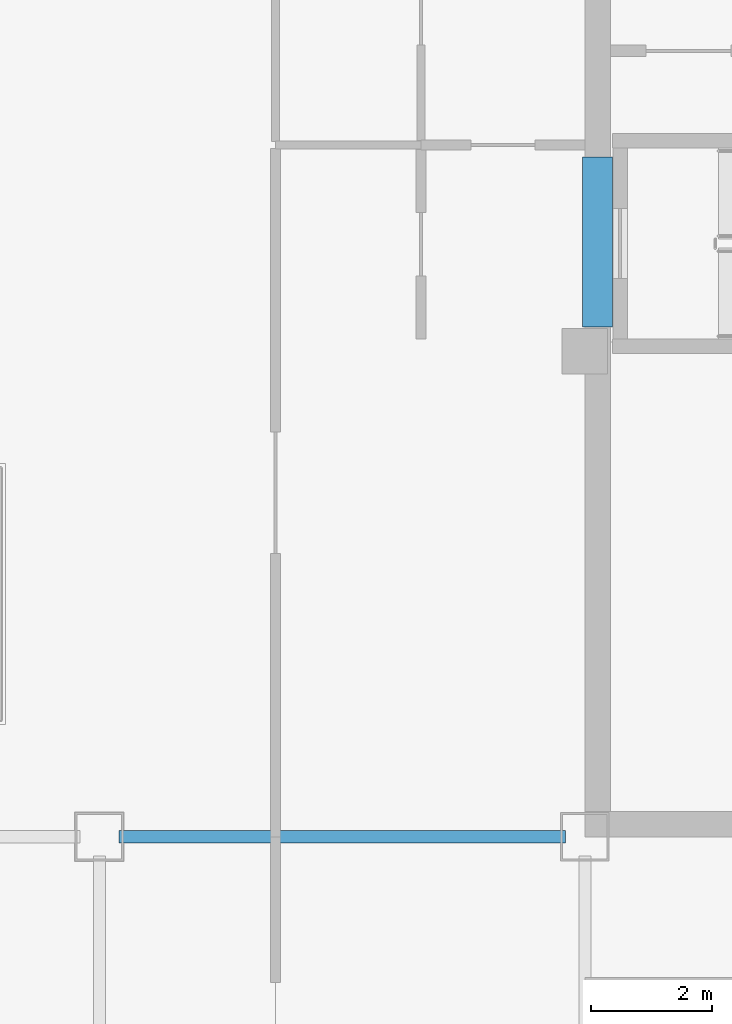
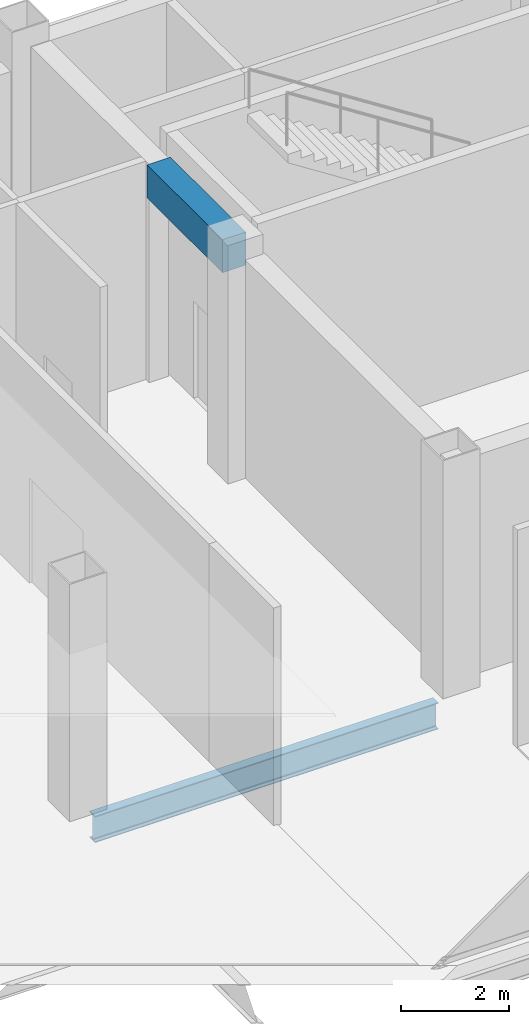
# One storey, part 7 of 16: 2 beams.
"""IFC4 building model written with IfcOpenShell, lengths in metres."""

from ifc_helpers import new_model, si_unit, direction, frame, origin, origin_2d, place, context, subcontext, project, spatial, rectangle, i_section, extrude, material, material_profile, profile_set, type_object, element, save


model = new_model("IFC4")

# Units and contexts
model_context = context("Model", 3, precision=1e-05, world=origin(), true_north=direction((0.0, 1.0)))
body_context = subcontext(model_context, "Body", "Model", "MODEL_VIEW")
ifc_project = project(units=[si_unit("LENGTHUNIT", "METRE"), si_unit("AREAUNIT", "SQUARE_METRE"), si_unit("VOLUMEUNIT", "CUBIC_METRE"), si_unit("PLANEANGLEUNIT", "RADIAN"), si_unit("MASSUNIT", "GRAM", prefix="KILO")], contexts=[model_context])

# Site, building, storey
site_placement = place(None, origin())
site = spatial("IfcSite", under=ifc_project, at=site_placement, CompositionType="ELEMENT")
building_placement = place(site_placement, origin())
building = spatial("IfcBuilding", under=site, at=building_placement, Name="Qianrong Seaharbour Tower", CompositionType="ELEMENT")
storey_placement = place(building_placement, frame((0.0, 0.0, 378.39990234375)))
storey = spatial("IfcBuildingStorey", under=building, at=storey_placement, Name="L91", CompositionType="ELEMENT", Elevation=378.39990234375)

# Beams
ifc_material_1 = material(Name="Structural steel SN490B", Category="steel")
ifc_material_profile_1 = material_profile(ifc_material_1, i_section(OverallWidth=0.199951171875, OverallDepth=0.60009765625, WebThickness=0.010986328125, FlangeThickness=0.01708984375, FilletRadius=0.02197265625, at=origin_2d()), Name="H600x200x11x17")
ifc_profile_set_1 = profile_set([ifc_material_profile_1], Name="Structural steel SN490B")
beam_type_1 = type_object("IfcBeamType", Name="BM-G-600", PredefinedType="BEAM", material=ifc_profile_set_1)
beam_1_placement = place(storey_placement, frame((32.820068359375, 36.0, -0.58984375), z_axis=(1.0, 0.0, 0.0), x_axis=(0.0, 1.0, 0.0)))
element("IfcBeam", 1, at=beam_1_placement, inside=storey, type_object=beam_type_1, Name="L91 Primary Girder GF G5-G6", PredefinedType="BEAM", context=body_context, shape_type="SweptSolid", body=[
    extrude(i_section(OverallWidth=0.199951171875, OverallDepth=0.60009765625, WebThickness=0.010986328125, FlangeThickness=0.01708984375, FilletRadius=0.02197265625, at=origin_2d()), origin(), (0.0, 0.0, 1.0), 7.35986328125),
])
ifc_material_2 = material(Name="Concrete C60/75", Category="concrete")
ifc_material_profile_2 = material_profile(ifc_material_2, rectangle(XDim=0.5, YDim=0.75, at=origin_2d()), Name="RC500x750")
ifc_profile_set_2 = profile_set([ifc_material_profile_2], Name="Concrete C60/75")
beam_type_2 = type_object("IfcBeamType", Name="BM-LINTEL-750", PredefinedType="LINTEL", material=ifc_profile_set_2)
beam_2_placement = place(storey_placement, frame((40.7099609375, 44.39990234375, 4.5751953125), z_axis=(0.0, 1.0, 0.0), x_axis=(-1.0, 0.0, 0.0)))
element("IfcBeam", 2, at=beam_2_placement, inside=storey, type_object=beam_type_2, Name="L91 Core Coupling Lintel Beam West", PredefinedType="LINTEL", context=body_context, shape_type="SweptSolid", body=[
    extrude(rectangle(XDim=0.5, YDim=0.75, at=origin_2d()), origin(), (0.0, 0.0, 1.0), 2.800048828125),
])

save(model, "model.ifc")
